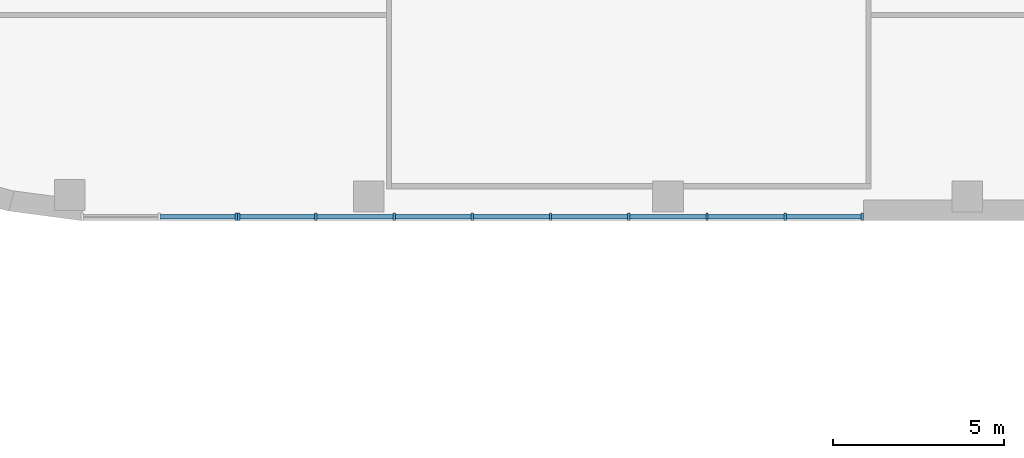
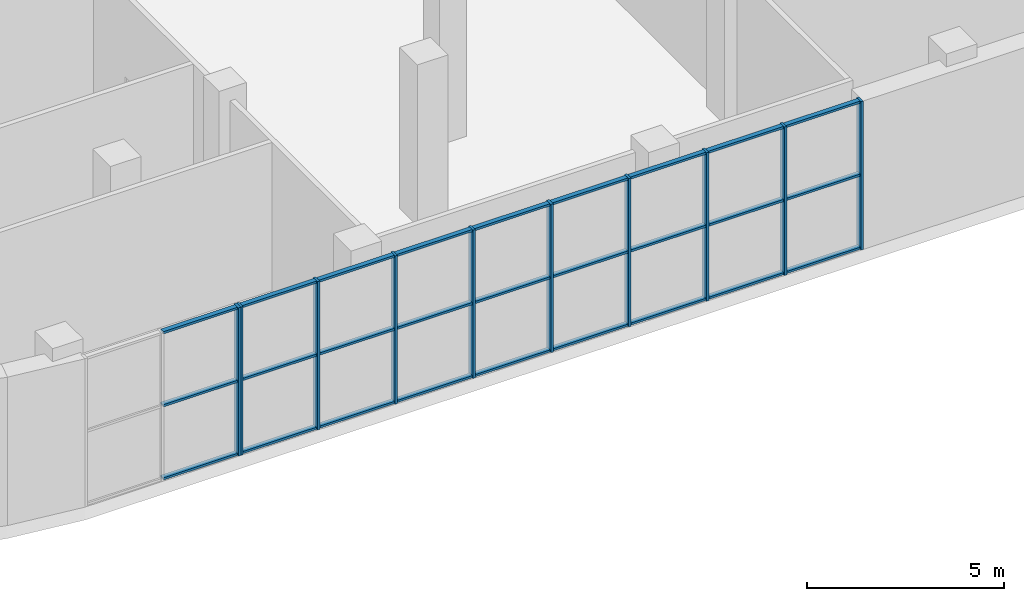
# One storey, part 4 of 24: 37 members, 2 elements without a shape of their own.
"""IFC4 building model written with IfcOpenShell, lengths in metres."""

import ifcopenshell
import ifcopenshell.guid

model = None  # the IFC model being written
_history = None  # IfcOwnerHistory: only IFC2X3 demands one
_inside = {}  # id of a spatial element -> (the spatial element, [elements in it])
_under = {}  # id of a project, library or spatial element -> (it, [spatial elements below it])
_declared = {}  # id of a project -> (the project, [libraries it declares])
_typed = {}  # id of a type object -> (the type object, [elements of that type])
_made_of = {}  # id of a material, layer set ... -> (it, [elements and type objects made of it])


def new_model(schema):
    """Start an empty IFC model of exactly this schema.

    Asked for "IFC4X3", IfcOpenShell would pick the latest addendum, in which some entities
    have other attributes; the version numbers below select the first issue.
    IFC2X3 requires an IfcOwnerHistory on every rooted entity: one is made here for all.
    """
    global model, _history
    if schema == "IFC4X3":
        model = ifcopenshell.file(schema_version=(4, 3, 0, 0))
    else:
        model = ifcopenshell.file(schema=schema)
    _inside.clear()
    _under.clear()
    _declared.clear()
    _typed.clear()
    _made_of.clear()
    _history = None
    if model.schema == "IFC2X3":
        org = make("IfcOrganization", Name="unknown")
        user = make(
            "IfcPersonAndOrganization",
            ThePerson=make("IfcPerson", FamilyName="unknown"),
            TheOrganization=org,
        )
        app = make(
            "IfcApplication",
            ApplicationDeveloper=org,
            Version="unknown",
            ApplicationFullName="unknown",
            ApplicationIdentifier="unknown",
        )
        _history = make(
            "IfcOwnerHistory",
            OwningUser=user,
            OwningApplication=app,
            ChangeAction="ADDED",
            CreationDate=0,
        )
    return model


def make(cls, **values):
    """One entity of the class cls with the attributes given. An attribute that is None is left unset."""
    return model.create_entity(
        cls, **{name: value for name, value in values.items() if value is not None}
    )


def rooted(cls, **values):
    """An entity with a GlobalId (a new one), such as an element, a storey or a relation."""
    return make(cls, GlobalId=ifcopenshell.guid.new(), OwnerHistory=_history, **values)


def si_unit(unit_type, name, prefix=None):
    """IfcSIUnit, for example si_unit("LENGTHUNIT", "METRE", prefix="MILLI")."""
    return make("IfcSIUnit", UnitType=unit_type, Prefix=prefix, Name=name)


def assignment(units):
    """IfcUnitAssignment: the units of a project."""
    return None if units is None else make("IfcUnitAssignment", Units=units)


def point(xyz):
    """IfcCartesianPoint."""
    return None if xyz is None else make("IfcCartesianPoint", Coordinates=xyz)


def direction(xyz):
    """IfcDirection."""
    return None if xyz is None else make("IfcDirection", DirectionRatios=xyz)


def frame(location, z_axis=None, x_axis=None):
    """IfcAxis2Placement3D, a coordinate frame: its origin and axes. An axis left out is left unset."""
    return make(
        "IfcAxis2Placement3D",
        Location=point(location),
        Axis=direction(z_axis),
        RefDirection=direction(x_axis),
    )


def frame_2d(location, x_axis=None):
    """IfcAxis2Placement2D, a coordinate frame in the plane: its origin and x axis."""
    return make(
        "IfcAxis2Placement2D", Location=point(location), RefDirection=direction(x_axis)
    )


def origin():
    """The frame at (0, 0, 0) with its axes left unset."""
    return frame((0.0, 0.0, 0.0))


def origin_2d():
    """The frame at (0, 0) in the plane with its x axis left unset."""
    return frame_2d((0.0, 0.0))


def place(relative_to, where):
    """IfcLocalPlacement: puts the frame where relative to a parent placement (None: the world)."""
    return make(
        "IfcLocalPlacement", PlacementRelTo=relative_to, RelativePlacement=where
    )


def context(
    kind, dimensions, precision=None, world=None, true_north=None, identifier=None
):
    """IfcGeometricRepresentationContext, for example the 3D "Model" context."""
    return make(
        "IfcGeometricRepresentationContext",
        ContextIdentifier=identifier,
        ContextType=kind,
        CoordinateSpaceDimension=dimensions,
        Precision=precision,
        WorldCoordinateSystem=world,
        TrueNorth=true_north,
    )


def subcontext(parent, identifier, kind, view, scale=None):
    """IfcGeometricRepresentationSubContext, for example "Body" below "Model"."""
    return make(
        "IfcGeometricRepresentationSubContext",
        ContextIdentifier=identifier,
        ContextType=kind,
        ParentContext=parent,
        TargetScale=scale,
        TargetView=view,
    )


def project(units=None, contexts=None):
    """IfcProject with its units and contexts."""
    return rooted(
        "IfcProject",
        Name="project",
        RepresentationContexts=contexts,
        UnitsInContext=assignment(units),
    )


def spatial(cls, under=None, at=None, **own):
    """A site, building, storey or space (cls), placed at a placement, below another one or the project."""
    s = rooted(cls, ObjectPlacement=at, **own)
    if under is not None:
        _under.setdefault(under.id(), (under, []))[1].append(s)
    return s


def profile(cls, at=None, kind="AREA", **sizes):
    """A parametric profile (cls). Its sizes go by their IFC names, for example OverallWidth=200.0."""
    return make(cls, ProfileType=kind, Position=at, **sizes)


def rectangle(**sizes):
    """IfcRectangleProfileDef."""
    return profile("IfcRectangleProfileDef", **sizes)


def extrude(swept, where, along, depth):
    """IfcExtrudedAreaSolid: the profile swept, set in the frame where, extruded along a direction by depth."""
    return make(
        "IfcExtrudedAreaSolid",
        SweptArea=swept,
        Position=where,
        ExtrudedDirection=direction(along),
        Depth=depth,
    )


def shape(context_of_items, identifier, shape_type, items):
    """IfcShapeRepresentation: the items that make up one representation, for example the "Body"."""
    return make(
        "IfcShapeRepresentation",
        ContextOfItems=context_of_items,
        RepresentationIdentifier=identifier,
        RepresentationType=shape_type,
        Items=items,
    )


def material(Name=None, Category=None):
    """IfcMaterial."""
    return make("IfcMaterial", Name=Name, Category=Category)


def material_profile(
    of_material, cross_section, Name=None, Category=None, Priority=None
):
    """IfcMaterialProfile: a cross section and its material."""
    return make(
        "IfcMaterialProfile",
        Name=Name,
        Material=of_material,
        Profile=cross_section,
        Priority=Priority,
        Category=Category,
    )


def profile_set(profiles, Name=None, composite=None):
    """IfcMaterialProfileSet."""
    return make(
        "IfcMaterialProfileSet",
        Name=Name,
        MaterialProfiles=profiles,
        CompositeProfile=composite,
    )


def made_of(thing, what):
    """Note that an element or type object is made of a material, layer set ...; save() writes the relation."""
    if what is not None:
        _made_of.setdefault(what.id(), (what, []))[1].append(thing)
    return thing


def type_object(cls, material=None, **own):
    """A type object (cls), such as IfcWallType, which elements share."""
    return made_of(rooted(cls, **own), material)


def element(
    cls,
    number,
    at=None,
    inside=None,
    cuts=None,
    type_object=None,
    material=None,
    context=None,
    identifier="Body",
    shape_type=None,
    held_by="IfcProductDefinitionShape",
    body=None,
    shapes=None,
    **own,
):
    """One element of the class cls, such as IfcWall. Its Tag is "e" and its number.

    at: its placement. inside: the storey or other place that contains it. cuts: it is an
    opening in that element (IfcRelVoidsElement). A single representation is given by context,
    identifier, shape_type and body (its items); several are given by shapes. held_by: the class
    of the entity that holds the representations. save() writes the other relations.
    """
    e = rooted(cls, Tag="e%d" % number, ObjectPlacement=at, **own)
    if body is not None:
        shapes = [shape(context, identifier, shape_type, body)]
    if shapes is not None:
        e.Representation = make(held_by, Representations=shapes)
    if inside is not None:
        _inside.setdefault(inside.id(), (inside, []))[1].append(e)
    if cuts is not None:
        rooted(
            "IfcRelVoidsElement", RelatingBuildingElement=cuts, RelatedOpeningElement=e
        )
    if type_object is not None:
        _typed.setdefault(type_object.id(), (type_object, []))[1].append(e)
    return made_of(e, material)


def aggregate(whole, parts):
    """IfcRelAggregates: a whole, such as a stair, and the parts it consists of."""
    return rooted("IfcRelAggregates", RelatingObject=whole, RelatedObjects=parts)


def save(model, path):
    """Write the relations noted so far, then the file.

    IfcRelAggregates (storeys below a building ...), IfcRelContainedInSpatialStructure (elements
    in a storey), IfcRelDefinesByType, IfcRelAssociatesMaterial and IfcRelDeclares: one each for
    every whole, place, type object, material and project.
    """
    for whole, parts in _under.values():
        aggregate(whole, parts)
    for where, things in _inside.values():
        rooted(
            "IfcRelContainedInSpatialStructure",
            RelatedElements=things,
            RelatingStructure=where,
        )
    for kind, things in _typed.values():
        rooted("IfcRelDefinesByType", RelatedObjects=things, RelatingType=kind)
    for what, things in _made_of.values():
        rooted("IfcRelAssociatesMaterial", RelatedObjects=things, RelatingMaterial=what)
    for by, libraries in _declared.values():
        rooted("IfcRelDeclares", RelatingContext=by, RelatedDefinitions=libraries)
    model.write(path)


model = new_model("IFC4")

# Units and contexts
model_context = context("Model", 3, precision=1e-05, world=origin(), true_north=direction((0.0, 1.0)))
body_context = subcontext(model_context, "Body", "Model", "MODEL_VIEW")
ifc_project = project(units=[si_unit("LENGTHUNIT", "METRE"), si_unit("AREAUNIT", "SQUARE_METRE"), si_unit("VOLUMEUNIT", "CUBIC_METRE"), si_unit("PLANEANGLEUNIT", "RADIAN"), si_unit("MASSUNIT", "GRAM", prefix="KILO")], contexts=[model_context])

# Site, building, storey
site_placement = place(None, origin())
site = spatial("IfcSite", under=ifc_project, at=site_placement, CompositionType="ELEMENT")
building_placement = place(site_placement, origin())
building = spatial("IfcBuilding", under=site, at=building_placement, Name="Skarvind Civic Tower", CompositionType="ELEMENT")
storey_placement = place(building_placement, frame((0.0, 0.0, 12.5)))
storey = spatial("IfcBuildingStorey", under=building, at=storey_placement, Name="L02", CompositionType="ELEMENT", Elevation=12.5)

# Curtain wall, members
ifc_material_1 = material(Name="Aluminium alloy 6063 and laminated glass", Category="aluminium")
curtain_wall_type = type_object("IfcCurtainWallType", Name="CW6 COMPANION TOWER LOBBY GLAZING", PredefinedType="NOTDEFINED", material=ifc_material_1)
curtain_wall_1_placement = place(storey_placement, origin())
curtain_wall_1 = element("IfcCurtainWall", 1, at=curtain_wall_1_placement, inside=storey, type_object=curtain_wall_type, Name="COMPANION TOWER LOBBY GLAZING", PredefinedType="NOTDEFINED")
ifc_material_2 = material(Name="Aluminium alloy 6063", Category="aluminium")
ifc_material_profile_1 = material_profile(ifc_material_2, rectangle(XDim=0.219970703125, YDim=0.070068359375, at=origin_2d()), Name="AL 70x220")
ifc_profile_set_1 = profile_set([ifc_material_profile_1], Name="Aluminium alloy 6063")
member_type_1 = type_object("IfcMemberType", Name="CW6 MULLION 70x220", PredefinedType="MULLION", material=ifc_profile_set_1)
member_1_placement = place(storey_placement, frame((153.812744140625, 102.110107421875, 0.0), z_axis=(0.0, 0.0, 1.0), x_axis=(0.0, -1.0, 0.0)))
member_1 = element("IfcMember", 2, at=member_1_placement, type_object=member_type_1, Name="CW6 mullion 1", PredefinedType="MULLION", context=body_context, shape_type="SweptSolid", body=[
    extrude(rectangle(XDim=0.219970703125, YDim=0.070068359375, at=origin_2d()), origin(), (0.0, 0.0, 1.0), 4.60009765625),
])
member_2_placement = place(storey_placement, frame((151.565185546875, 102.110107421875, 0.0), z_axis=(0.0, 0.0, 1.0), x_axis=(0.0, -1.0, 0.0)))
member_2 = element("IfcMember", 3, at=member_2_placement, type_object=member_type_1, Name="CW6 mullion 2", PredefinedType="MULLION", context=body_context, shape_type="SweptSolid", body=[
    extrude(rectangle(XDim=0.219970703125, YDim=0.070068359375, at=origin_2d()), origin(), (0.0, 0.0, 1.0), 4.60009765625),
])
member_3_placement = place(storey_placement, frame((149.28271484375, 102.110107421875, 0.0), z_axis=(0.0, 0.0, 1.0), x_axis=(0.0, -1.0, 0.0)))
member_3 = element("IfcMember", 4, at=member_3_placement, type_object=member_type_1, Name="CW6 mullion 3", PredefinedType="MULLION", context=body_context, shape_type="SweptSolid", body=[
    extrude(rectangle(XDim=0.219970703125, YDim=0.070068359375, at=origin_2d()), origin(), (0.0, 0.0, 1.0), 4.60009765625),
])
member_4_placement = place(storey_placement, frame((147.0, 102.110107421875, 0.0), z_axis=(0.0, 0.0, 1.0), x_axis=(0.0, -1.0, 0.0)))
member_4 = element("IfcMember", 5, at=member_4_placement, type_object=member_type_1, Name="CW6 mullion 4", PredefinedType="MULLION", context=body_context, shape_type="SweptSolid", body=[
    extrude(rectangle(XDim=0.219970703125, YDim=0.070068359375, at=origin_2d()), origin(), (0.0, 0.0, 1.0), 4.60009765625),
])
member_5_placement = place(storey_placement, frame((144.71728515625, 102.110107421875, 0.0), z_axis=(0.0, 0.0, 1.0), x_axis=(0.0, -1.0, 0.0)))
member_5 = element("IfcMember", 6, at=member_5_placement, type_object=member_type_1, Name="CW6 mullion 5", PredefinedType="MULLION", context=body_context, shape_type="SweptSolid", body=[
    extrude(rectangle(XDim=0.219970703125, YDim=0.070068359375, at=origin_2d()), origin(), (0.0, 0.0, 1.0), 4.60009765625),
])
member_6_placement = place(storey_placement, frame((142.434814453125, 102.110107421875, 0.0), z_axis=(0.0, 0.0, 1.0), x_axis=(0.0, -1.0, 0.0)))
member_6 = element("IfcMember", 7, at=member_6_placement, type_object=member_type_1, Name="CW6 mullion 6", PredefinedType="MULLION", context=body_context, shape_type="SweptSolid", body=[
    extrude(rectangle(XDim=0.219970703125, YDim=0.070068359375, at=origin_2d()), origin(), (0.0, 0.0, 1.0), 4.60009765625),
])
member_7_placement = place(storey_placement, frame((140.152099609375, 102.110107421875, 0.0), z_axis=(0.0, 0.0, 1.0), x_axis=(0.0, -1.0, 0.0)))
member_7 = element("IfcMember", 8, at=member_7_placement, type_object=member_type_1, Name="CW6 mullion 7", PredefinedType="MULLION", context=body_context, shape_type="SweptSolid", body=[
    extrude(rectangle(XDim=0.219970703125, YDim=0.070068359375, at=origin_2d()), origin(), (0.0, 0.0, 1.0), 4.60009765625),
])
member_8_placement = place(storey_placement, frame((137.86962890625, 102.110107421875, 0.0), z_axis=(0.0, 0.0, 1.0), x_axis=(0.0, -1.0, 0.0)))
member_8 = element("IfcMember", 9, at=member_8_placement, type_object=member_type_1, Name="CW6 mullion 8", PredefinedType="MULLION", context=body_context, shape_type="SweptSolid", body=[
    extrude(rectangle(XDim=0.219970703125, YDim=0.070068359375, at=origin_2d()), origin(), (0.0, 0.0, 1.0), 4.60009765625),
])
member_9_placement = place(storey_placement, frame((135.6220703125, 102.110107421875, 0.0), z_axis=(0.0, 0.0, 1.0), x_axis=(0.0, -1.0, 0.0)))
member_9 = element("IfcMember", 10, at=member_9_placement, type_object=member_type_1, Name="CW6 mullion 9", PredefinedType="MULLION", context=body_context, shape_type="SweptSolid", body=[
    extrude(rectangle(XDim=0.219970703125, YDim=0.070068359375, at=origin_2d()), origin(), (0.0, 0.0, 1.0), 4.60009765625),
])

# Curtain wall, member
curtain_wall_2_placement = place(storey_placement, origin())
curtain_wall_2 = element("IfcCurtainWall", 11, at=curtain_wall_2_placement, inside=storey, type_object=curtain_wall_type, Name="COMPANION TOWER LOBBY GLAZING", PredefinedType="NOTDEFINED")
member_10_placement = place(storey_placement, frame((135.552001953125, 102.110107421875, 0.0), z_axis=(0.0, 0.0, 1.0), x_axis=(0.0, -1.0, 0.0)))
member_10 = element("IfcMember", 12, at=member_10_placement, type_object=member_type_1, Name="CW6 mullion 1", PredefinedType="MULLION", context=body_context, shape_type="SweptSolid", body=[
    extrude(rectangle(XDim=0.219970703125, YDim=0.070068359375, at=origin_2d()), origin(), (0.0, 0.0, 1.0), 4.60009765625),
])

# Member
ifc_material_profile_2 = material_profile(ifc_material_2, rectangle(XDim=0.139892578125, YDim=0.070068359375, at=origin_2d()), Name="AL 70x140")
ifc_profile_set_2 = profile_set([ifc_material_profile_2], Name="Aluminium alloy 6063")
member_type_2 = type_object("IfcMemberType", Name="CW6 TRANSOM 70x140", PredefinedType="USERDEFINED", material=ifc_profile_set_2)
member_11_placement = place(storey_placement, frame((153.77783203125, 102.110107421875, 0.034912109375), z_axis=(-1.0, 0.0, 0.0), x_axis=(0.0, -1.0, 0.0)))
member_11 = element("IfcMember", 13, at=member_11_placement, type_object=member_type_2, Name="CW6 transom 1.1", ObjectType="TRANSOM", PredefinedType="USERDEFINED", context=body_context, shape_type="SweptSolid", body=[
    extrude(rectangle(XDim=0.139892578125, YDim=0.070068359375, at=origin_2d()), origin(), (0.0, 0.0, 1.0), 2.177734375),
])

member_12_placement = place(storey_placement, frame((153.77783203125, 102.110107421875, 2.300048828125), z_axis=(-1.0, 0.0, 0.0), x_axis=(0.0, -1.0, 0.0)))
member_12 = element("IfcMember", 14, at=member_12_placement, type_object=member_type_2, Name="CW6 transom 1.2", ObjectType="TRANSOM", PredefinedType="USERDEFINED", context=body_context, shape_type="SweptSolid", body=[
    extrude(rectangle(XDim=0.139892578125, YDim=0.070068359375, at=origin_2d()), origin(), (0.0, 0.0, 1.0), 2.177734375),
])

member_13_placement = place(storey_placement, frame((153.77783203125, 102.110107421875, 4.56494140625), z_axis=(-1.0, 0.0, 0.0), x_axis=(0.0, -1.0, 0.0)))
member_13 = element("IfcMember", 15, at=member_13_placement, type_object=member_type_2, Name="CW6 transom 1.3", ObjectType="TRANSOM", PredefinedType="USERDEFINED", context=body_context, shape_type="SweptSolid", body=[
    extrude(rectangle(XDim=0.139892578125, YDim=0.070068359375, at=origin_2d()), origin(), (0.0, 0.0, 1.0), 2.177734375),
])

member_14_placement = place(storey_placement, frame((151.5302734375, 102.110107421875, 0.034912109375), z_axis=(-1.0, 0.0, 0.0), x_axis=(0.0, -1.0, 0.0)))
member_14 = element("IfcMember", 16, at=member_14_placement, type_object=member_type_2, Name="CW6 transom 2.1", ObjectType="TRANSOM", PredefinedType="USERDEFINED", context=body_context, shape_type="SweptSolid", body=[
    extrude(rectangle(XDim=0.139892578125, YDim=0.070068359375, at=origin_2d()), origin(), (0.0, 0.0, 1.0), 2.212646484375),
])

member_15_placement = place(storey_placement, frame((151.5302734375, 102.110107421875, 2.300048828125), z_axis=(-1.0, 0.0, 0.0), x_axis=(0.0, -1.0, 0.0)))
member_15 = element("IfcMember", 17, at=member_15_placement, type_object=member_type_2, Name="CW6 transom 2.2", ObjectType="TRANSOM", PredefinedType="USERDEFINED", context=body_context, shape_type="SweptSolid", body=[
    extrude(rectangle(XDim=0.139892578125, YDim=0.070068359375, at=origin_2d()), origin(), (0.0, 0.0, 1.0), 2.212646484375),
])

member_16_placement = place(storey_placement, frame((151.5302734375, 102.110107421875, 4.56494140625), z_axis=(-1.0, 0.0, 0.0), x_axis=(0.0, -1.0, 0.0)))
member_16 = element("IfcMember", 18, at=member_16_placement, type_object=member_type_2, Name="CW6 transom 2.3", ObjectType="TRANSOM", PredefinedType="USERDEFINED", context=body_context, shape_type="SweptSolid", body=[
    extrude(rectangle(XDim=0.139892578125, YDim=0.070068359375, at=origin_2d()), origin(), (0.0, 0.0, 1.0), 2.212646484375),
])

member_17_placement = place(storey_placement, frame((149.24755859375, 102.110107421875, 0.034912109375), z_axis=(-1.0, 0.0, 0.0), x_axis=(0.0, -1.0, 0.0)))
member_17 = element("IfcMember", 19, at=member_17_placement, type_object=member_type_2, Name="CW6 transom 3.1", ObjectType="TRANSOM", PredefinedType="USERDEFINED", context=body_context, shape_type="SweptSolid", body=[
    extrude(rectangle(XDim=0.139892578125, YDim=0.070068359375, at=origin_2d()), origin(), (0.0, 0.0, 1.0), 2.212646484375),
])

member_18_placement = place(storey_placement, frame((149.24755859375, 102.110107421875, 2.300048828125), z_axis=(-1.0, 0.0, 0.0), x_axis=(0.0, -1.0, 0.0)))
member_18 = element("IfcMember", 20, at=member_18_placement, type_object=member_type_2, Name="CW6 transom 3.2", ObjectType="TRANSOM", PredefinedType="USERDEFINED", context=body_context, shape_type="SweptSolid", body=[
    extrude(rectangle(XDim=0.139892578125, YDim=0.070068359375, at=origin_2d()), origin(), (0.0, 0.0, 1.0), 2.212646484375),
])

member_19_placement = place(storey_placement, frame((149.24755859375, 102.110107421875, 4.56494140625), z_axis=(-1.0, 0.0, 0.0), x_axis=(0.0, -1.0, 0.0)))
member_19 = element("IfcMember", 21, at=member_19_placement, type_object=member_type_2, Name="CW6 transom 3.3", ObjectType="TRANSOM", PredefinedType="USERDEFINED", context=body_context, shape_type="SweptSolid", body=[
    extrude(rectangle(XDim=0.139892578125, YDim=0.070068359375, at=origin_2d()), origin(), (0.0, 0.0, 1.0), 2.212646484375),
])

member_20_placement = place(storey_placement, frame((146.965087890625, 102.110107421875, 0.034912109375), z_axis=(-1.0, 0.0, 0.0), x_axis=(0.0, -1.0, 0.0)))
member_20 = element("IfcMember", 22, at=member_20_placement, type_object=member_type_2, Name="CW6 transom 4.1", ObjectType="TRANSOM", PredefinedType="USERDEFINED", context=body_context, shape_type="SweptSolid", body=[
    extrude(rectangle(XDim=0.139892578125, YDim=0.070068359375, at=origin_2d()), origin(), (0.0, 0.0, 1.0), 2.212646484375),
])

member_21_placement = place(storey_placement, frame((146.965087890625, 102.110107421875, 2.300048828125), z_axis=(-1.0, 0.0, 0.0), x_axis=(0.0, -1.0, 0.0)))
member_21 = element("IfcMember", 23, at=member_21_placement, type_object=member_type_2, Name="CW6 transom 4.2", ObjectType="TRANSOM", PredefinedType="USERDEFINED", context=body_context, shape_type="SweptSolid", body=[
    extrude(rectangle(XDim=0.139892578125, YDim=0.070068359375, at=origin_2d()), origin(), (0.0, 0.0, 1.0), 2.212646484375),
])

member_22_placement = place(storey_placement, frame((146.965087890625, 102.110107421875, 4.56494140625), z_axis=(-1.0, 0.0, 0.0), x_axis=(0.0, -1.0, 0.0)))
member_22 = element("IfcMember", 24, at=member_22_placement, type_object=member_type_2, Name="CW6 transom 4.3", ObjectType="TRANSOM", PredefinedType="USERDEFINED", context=body_context, shape_type="SweptSolid", body=[
    extrude(rectangle(XDim=0.139892578125, YDim=0.070068359375, at=origin_2d()), origin(), (0.0, 0.0, 1.0), 2.212646484375),
])

member_23_placement = place(storey_placement, frame((144.682373046875, 102.110107421875, 0.034912109375), z_axis=(-1.0, 0.0, 0.0), x_axis=(0.0, -1.0, 0.0)))
member_23 = element("IfcMember", 25, at=member_23_placement, type_object=member_type_2, Name="CW6 transom 5.1", ObjectType="TRANSOM", PredefinedType="USERDEFINED", context=body_context, shape_type="SweptSolid", body=[
    extrude(rectangle(XDim=0.139892578125, YDim=0.070068359375, at=origin_2d()), origin(), (0.0, 0.0, 1.0), 2.212646484375),
])

member_24_placement = place(storey_placement, frame((144.682373046875, 102.110107421875, 2.300048828125), z_axis=(-1.0, 0.0, 0.0), x_axis=(0.0, -1.0, 0.0)))
member_24 = element("IfcMember", 26, at=member_24_placement, type_object=member_type_2, Name="CW6 transom 5.2", ObjectType="TRANSOM", PredefinedType="USERDEFINED", context=body_context, shape_type="SweptSolid", body=[
    extrude(rectangle(XDim=0.139892578125, YDim=0.070068359375, at=origin_2d()), origin(), (0.0, 0.0, 1.0), 2.212646484375),
])

member_25_placement = place(storey_placement, frame((144.682373046875, 102.110107421875, 4.56494140625), z_axis=(-1.0, 0.0, 0.0), x_axis=(0.0, -1.0, 0.0)))
member_25 = element("IfcMember", 27, at=member_25_placement, type_object=member_type_2, Name="CW6 transom 5.3", ObjectType="TRANSOM", PredefinedType="USERDEFINED", context=body_context, shape_type="SweptSolid", body=[
    extrude(rectangle(XDim=0.139892578125, YDim=0.070068359375, at=origin_2d()), origin(), (0.0, 0.0, 1.0), 2.212646484375),
])

member_26_placement = place(storey_placement, frame((142.39990234375, 102.110107421875, 0.034912109375), z_axis=(-1.0, 0.0, 0.0), x_axis=(0.0, -1.0, 0.0)))
member_26 = element("IfcMember", 28, at=member_26_placement, type_object=member_type_2, Name="CW6 transom 6.1", ObjectType="TRANSOM", PredefinedType="USERDEFINED", context=body_context, shape_type="SweptSolid", body=[
    extrude(rectangle(XDim=0.139892578125, YDim=0.070068359375, at=origin_2d()), origin(), (0.0, 0.0, 1.0), 2.212646484375),
])

member_27_placement = place(storey_placement, frame((142.39990234375, 102.110107421875, 2.300048828125), z_axis=(-1.0, 0.0, 0.0), x_axis=(0.0, -1.0, 0.0)))
member_27 = element("IfcMember", 29, at=member_27_placement, type_object=member_type_2, Name="CW6 transom 6.2", ObjectType="TRANSOM", PredefinedType="USERDEFINED", context=body_context, shape_type="SweptSolid", body=[
    extrude(rectangle(XDim=0.139892578125, YDim=0.070068359375, at=origin_2d()), origin(), (0.0, 0.0, 1.0), 2.212646484375),
])

member_28_placement = place(storey_placement, frame((142.39990234375, 102.110107421875, 4.56494140625), z_axis=(-1.0, 0.0, 0.0), x_axis=(0.0, -1.0, 0.0)))
member_28 = element("IfcMember", 30, at=member_28_placement, type_object=member_type_2, Name="CW6 transom 6.3", ObjectType="TRANSOM", PredefinedType="USERDEFINED", context=body_context, shape_type="SweptSolid", body=[
    extrude(rectangle(XDim=0.139892578125, YDim=0.070068359375, at=origin_2d()), origin(), (0.0, 0.0, 1.0), 2.212646484375),
])

member_29_placement = place(storey_placement, frame((140.1171875, 102.110107421875, 0.034912109375), z_axis=(-1.0, 0.0, 0.0), x_axis=(0.0, -1.0, 0.0)))
member_29 = element("IfcMember", 31, at=member_29_placement, type_object=member_type_2, Name="CW6 transom 7.1", ObjectType="TRANSOM", PredefinedType="USERDEFINED", context=body_context, shape_type="SweptSolid", body=[
    extrude(rectangle(XDim=0.139892578125, YDim=0.070068359375, at=origin_2d()), origin(), (0.0, 0.0, 1.0), 2.212646484375),
])

member_30_placement = place(storey_placement, frame((140.1171875, 102.110107421875, 2.300048828125), z_axis=(-1.0, 0.0, 0.0), x_axis=(0.0, -1.0, 0.0)))
member_30 = element("IfcMember", 32, at=member_30_placement, type_object=member_type_2, Name="CW6 transom 7.2", ObjectType="TRANSOM", PredefinedType="USERDEFINED", context=body_context, shape_type="SweptSolid", body=[
    extrude(rectangle(XDim=0.139892578125, YDim=0.070068359375, at=origin_2d()), origin(), (0.0, 0.0, 1.0), 2.212646484375),
])

member_31_placement = place(storey_placement, frame((140.1171875, 102.110107421875, 4.56494140625), z_axis=(-1.0, 0.0, 0.0), x_axis=(0.0, -1.0, 0.0)))
member_31 = element("IfcMember", 33, at=member_31_placement, type_object=member_type_2, Name="CW6 transom 7.3", ObjectType="TRANSOM", PredefinedType="USERDEFINED", context=body_context, shape_type="SweptSolid", body=[
    extrude(rectangle(XDim=0.139892578125, YDim=0.070068359375, at=origin_2d()), origin(), (0.0, 0.0, 1.0), 2.212646484375),
])

member_32_placement = place(storey_placement, frame((137.834716796875, 102.110107421875, 0.034912109375), z_axis=(-1.0, 0.0, 0.0), x_axis=(0.0, -1.0, 0.0)))
member_32 = element("IfcMember", 34, at=member_32_placement, type_object=member_type_2, Name="CW6 transom 8.1", ObjectType="TRANSOM", PredefinedType="USERDEFINED", context=body_context, shape_type="SweptSolid", body=[
    extrude(rectangle(XDim=0.139892578125, YDim=0.070068359375, at=origin_2d()), origin(), (0.0, 0.0, 1.0), 2.177734375),
])

member_33_placement = place(storey_placement, frame((137.834716796875, 102.110107421875, 2.300048828125), z_axis=(-1.0, 0.0, 0.0), x_axis=(0.0, -1.0, 0.0)))
member_33 = element("IfcMember", 35, at=member_33_placement, type_object=member_type_2, Name="CW6 transom 8.2", ObjectType="TRANSOM", PredefinedType="USERDEFINED", context=body_context, shape_type="SweptSolid", body=[
    extrude(rectangle(XDim=0.139892578125, YDim=0.070068359375, at=origin_2d()), origin(), (0.0, 0.0, 1.0), 2.177734375),
])

member_34_placement = place(storey_placement, frame((137.834716796875, 102.110107421875, 4.56494140625), z_axis=(-1.0, 0.0, 0.0), x_axis=(0.0, -1.0, 0.0)))
member_34 = element("IfcMember", 36, at=member_34_placement, type_object=member_type_2, Name="CW6 transom 8.3", ObjectType="TRANSOM", PredefinedType="USERDEFINED", context=body_context, shape_type="SweptSolid", body=[
    extrude(rectangle(XDim=0.139892578125, YDim=0.070068359375, at=origin_2d()), origin(), (0.0, 0.0, 1.0), 2.177734375),
])

aggregate(curtain_wall_1, [member_1, member_2, member_3, member_4, member_5, member_6, member_7, member_8, member_9, member_11, member_12, member_13, member_14, member_15, member_16, member_17, member_18, member_19, member_20, member_21, member_22, member_23, member_24, member_25, member_26, member_27, member_28, member_29, member_30, member_31, member_32, member_33, member_34])

member_35_placement = place(storey_placement, frame((135.51708984375, 102.110107421875, 0.034912109375), z_axis=(-1.0, 0.0, 0.0), x_axis=(0.0, -1.0, 0.0)))
member_35 = element("IfcMember", 37, at=member_35_placement, type_object=member_type_2, Name="CW6 transom 1.1", ObjectType="TRANSOM", PredefinedType="USERDEFINED", context=body_context, shape_type="SweptSolid", body=[
    extrude(rectangle(XDim=0.139892578125, YDim=0.070068359375, at=origin_2d()), origin(), (0.0, 0.0, 1.0), 2.177734375),
])

member_36_placement = place(storey_placement, frame((135.51708984375, 102.110107421875, 2.300048828125), z_axis=(-1.0, 0.0, 0.0), x_axis=(0.0, -1.0, 0.0)))
member_36 = element("IfcMember", 38, at=member_36_placement, type_object=member_type_2, Name="CW6 transom 1.2", ObjectType="TRANSOM", PredefinedType="USERDEFINED", context=body_context, shape_type="SweptSolid", body=[
    extrude(rectangle(XDim=0.139892578125, YDim=0.070068359375, at=origin_2d()), origin(), (0.0, 0.0, 1.0), 2.177734375),
])

member_37_placement = place(storey_placement, frame((135.51708984375, 102.110107421875, 4.56494140625), z_axis=(-1.0, 0.0, 0.0), x_axis=(0.0, -1.0, 0.0)))
member_37 = element("IfcMember", 39, at=member_37_placement, type_object=member_type_2, Name="CW6 transom 1.3", ObjectType="TRANSOM", PredefinedType="USERDEFINED", context=body_context, shape_type="SweptSolid", body=[
    extrude(rectangle(XDim=0.139892578125, YDim=0.070068359375, at=origin_2d()), origin(), (0.0, 0.0, 1.0), 2.177734375),
])

aggregate(curtain_wall_2, [member_10, member_35, member_36, member_37])

save(model, "model.ifc")
